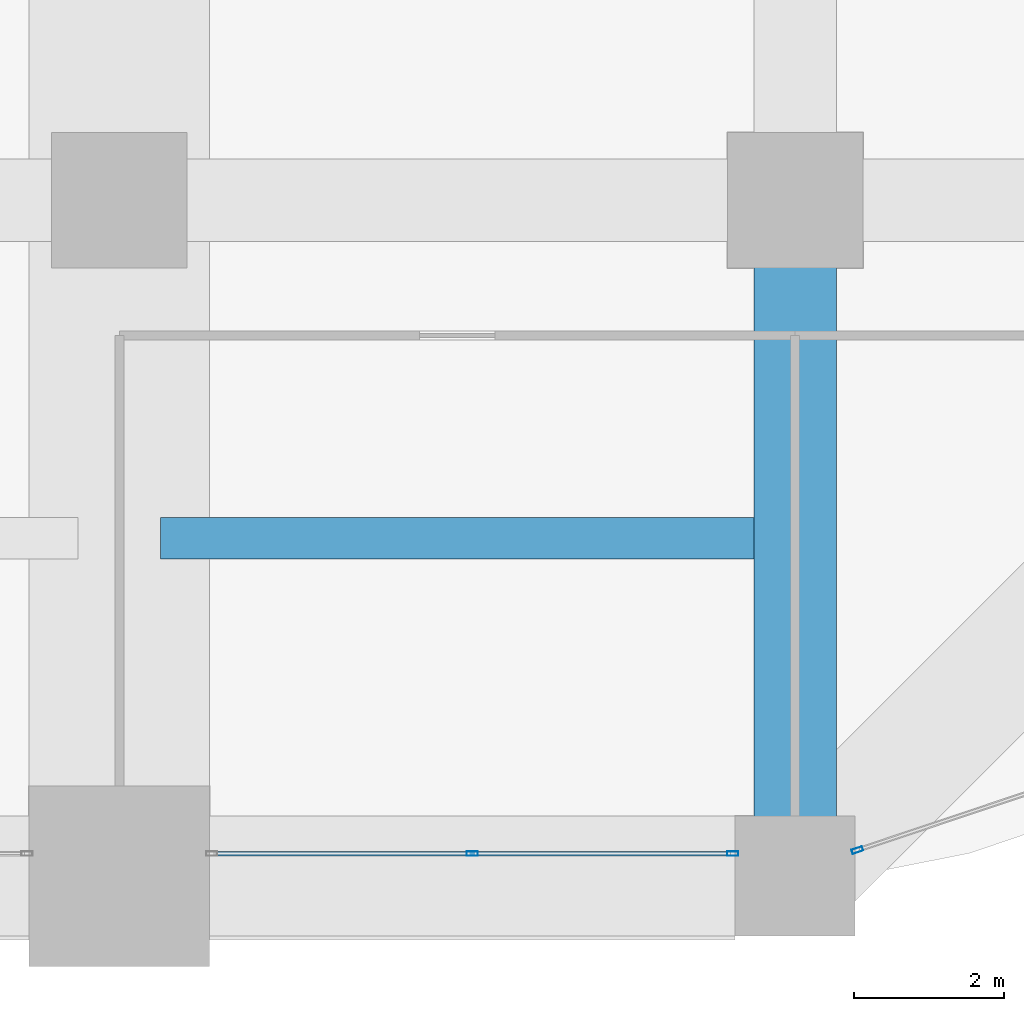
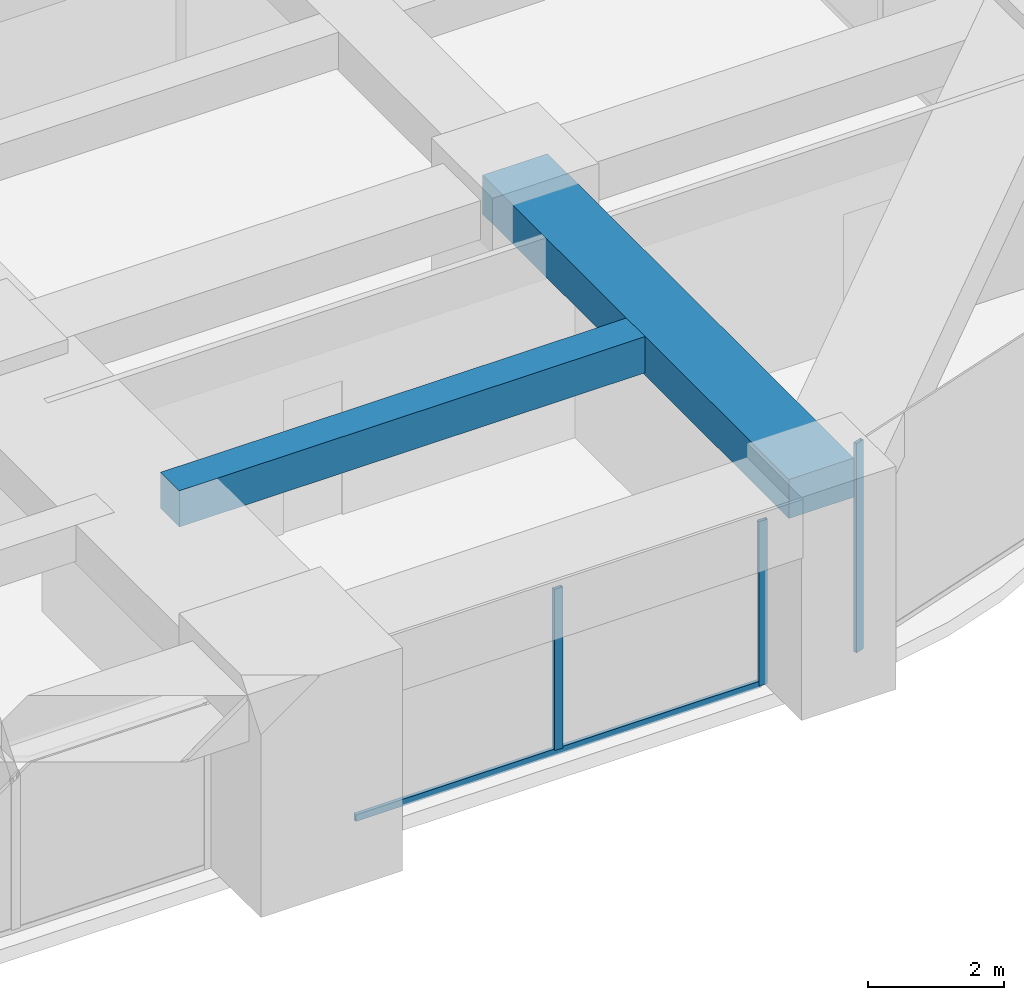
# One storey, part 16 of 42: 4 members, 2 beams, 2 elements without a shape of their own.
"""IFC4 building model written with IfcOpenShell, lengths in metres."""

from ifc_helpers import new_model, si_unit, direction, frame, origin, origin_2d, place, context, subcontext, project, spatial, rectangle, hollow_rectangle, extrude, material, material_profile, profile_set, type_object, element, aggregate, save


model = new_model("IFC4")

# Units and contexts
model_context = context("Model", 3, precision=1e-05, world=origin(), true_north=direction((0.0, 1.0)))
body_context = subcontext(model_context, "Body", "Model", "MODEL_VIEW")
ifc_project = project(units=[si_unit("LENGTHUNIT", "METRE"), si_unit("AREAUNIT", "SQUARE_METRE"), si_unit("VOLUMEUNIT", "CUBIC_METRE"), si_unit("PLANEANGLEUNIT", "RADIAN"), si_unit("MASSUNIT", "GRAM", prefix="KILO")], contexts=[model_context])

# Site, building, storey
site_placement = place(None, origin())
site = spatial("IfcSite", under=ifc_project, at=site_placement, CompositionType="ELEMENT")
building_placement = place(site_placement, origin())
building = spatial("IfcBuilding", under=site, at=building_placement, Name="Zorevar Civic Tower", CompositionType="ELEMENT")
storey_placement = place(building_placement, frame((0.0, 0.0, 149.0)))
storey = spatial("IfcBuildingStorey", under=building, at=storey_placement, Name="L36", CompositionType="ELEMENT", Elevation=149.0)

# Beams
ifc_material_1 = material(Name="Concrete C50/60", Category="concrete")
ifc_material_profile_1 = material_profile(ifc_material_1, rectangle(XDim=1.10009765625, YDim=0.699951171875, at=origin_2d()), Name="RC 1100x700")
ifc_profile_set_1 = profile_set([ifc_material_profile_1], Name="Concrete C50/60")
beam_type_1 = type_object("IfcBeamType", Name="Beam RC 1100x700", PredefinedType="BEAM", material=ifc_profile_set_1)
beam_1_placement = place(storey_placement, frame((54.0, 0.0, 3.39990234375), z_axis=(0.0, 1.0, 0.0), x_axis=(-1.0, 0.0, 0.0)))
element("IfcBeam", 1, at=beam_1_placement, inside=storey, type_object=beam_type_1, Name="Girder L37", PredefinedType="BEAM", context=body_context, shape_type="SweptSolid", body=[
    extrude(rectangle(XDim=1.10009765625, YDim=0.699951171875, at=origin_2d()), origin(), (0.0, 0.0, 1.0), 9.0),
])
ifc_material_2 = material(Name="Concrete C50/60", Category="concrete")
ifc_material_profile_2 = material_profile(ifc_material_2, rectangle(XDim=0.550048828125, YDim=0.64990234375, at=origin_2d()), Name="RC 550x650")
ifc_profile_set_2 = profile_set([ifc_material_profile_2], Name="Concrete C50/60")
beam_type_2 = type_object("IfcBeamType", Name="Beam RC 550x650", PredefinedType="BEAM", material=ifc_profile_set_2)
beam_2_placement = place(storey_placement, frame((45.550048828125, 4.5, 3.425048828125), z_axis=(1.0, 0.0, 0.0), x_axis=(0.0, 1.0, 0.0)))
element("IfcBeam", 2, at=beam_2_placement, inside=storey, type_object=beam_type_2, Name="Secondary beam L37", PredefinedType="BEAM", context=body_context, shape_type="SweptSolid", body=[
    extrude(rectangle(XDim=0.550048828125, YDim=0.64990234375, at=origin_2d()), origin(), (0.0, 0.0, 1.0), 7.89990234375),
])

# Curtain wall, members
ifc_material_3 = material(Name="Dark grey solar-control glass in black aluminium frame", Category="aluminium")
curtain_wall_type = type_object("IfcCurtainWallType", Name="Curtain wall CW3 mid zone", PredefinedType="NOTDEFINED", material=ifc_material_3)
curtain_wall_1_placement = place(storey_placement, origin())
curtain_wall_1 = element("IfcCurtainWall", 3, at=curtain_wall_1_placement, inside=storey, type_object=curtain_wall_type, Name="CW3 L36", PredefinedType="NOTDEFINED")
ifc_material_4 = material(Name="Aluminium, black anodised", Category="aluminium")
ifc_material_profile_3 = material_profile(ifc_material_4, hollow_rectangle(XDim=0.06005859375, YDim=0.14990234375, WallThickness=0.00390625, at=origin_2d()), Name="AL 150x60x4")
ifc_profile_set_3 = profile_set([ifc_material_profile_3], Name="Aluminium, black anodised")
member_type_1 = type_object("IfcMemberType", Name="CW3 mullion AL 150x60x4", PredefinedType="MULLION", material=ifc_profile_set_3)
member_1_placement = place(storey_placement, frame((49.699951171875, 0.300048828125, 0.06005859375), z_axis=(0.0, 0.0, 1.0), x_axis=(0.0, 1.0, 0.0)))
member_1 = element("IfcMember", 4, at=member_1_placement, type_object=member_type_1, Name="CW3 mullion 2", PredefinedType="MULLION", context=body_context, shape_type="SweptSolid", body=[
    extrude(hollow_rectangle(XDim=0.06005859375, YDim=0.14990234375, WallThickness=0.00390625, at=origin_2d()), origin(), (0.0, 0.0, 1.0), 2.889892578125),
])
member_2_placement = place(storey_placement, frame((53.169921875, 0.300048828125, 0.0), z_axis=(0.0, 0.0, 1.0), x_axis=(0.0, 1.0, 0.0)))
member_2 = element("IfcMember", 5, at=member_2_placement, type_object=member_type_1, Name="CW3 mullion 3", PredefinedType="MULLION", context=body_context, shape_type="SweptSolid", body=[
    extrude(hollow_rectangle(XDim=0.06005859375, YDim=0.14990234375, WallThickness=0.00390625, at=origin_2d()), origin(), (0.0, 0.0, 1.0), 2.949951171875),
])

# Curtain wall, member
curtain_wall_2_placement = place(storey_placement, origin())
curtain_wall_2 = element("IfcCurtainWall", 6, at=curtain_wall_2_placement, inside=storey, type_object=curtain_wall_type, Name="CW3 L36", PredefinedType="NOTDEFINED")
member_3_placement = place(storey_placement, frame((54.828369140625, 0.346435546875, 0.0), z_axis=(0.0, 0.0, 1.0), x_axis=(-0.317592669603, 0.948227238701, 0.0)))
member_3 = element("IfcMember", 7, at=member_3_placement, type_object=member_type_1, Name="CW3 mullion 1", PredefinedType="MULLION", context=body_context, shape_type="SweptSolid", body=[
    extrude(hollow_rectangle(XDim=0.06005859375, YDim=0.14990234375, WallThickness=0.00390625, at=origin_2d()), origin(), (0.0, 0.0, 1.0), 3.75),
])
aggregate(curtain_wall_2, [member_3])

# Member
ifc_material_5 = material(Name="Aluminium, black anodised", Category="aluminium")
ifc_material_profile_4 = material_profile(ifc_material_5, hollow_rectangle(XDim=0.06005859375, YDim=0.1201171875, WallThickness=0.0029296875, at=origin_2d()), Name="AL 120x60x3")
ifc_profile_set_4 = profile_set([ifc_material_profile_4], Name="Aluminium, black anodised")
member_type_2 = type_object("IfcMemberType", Name="CW3 transom AL 120x60x3", PredefinedType="USERDEFINED", material=ifc_profile_set_4)
member_4_placement = place(storey_placement, frame((46.260009765625, 0.300048828125, 0.030029296875), z_axis=(1.0, 0.0, 0.0), x_axis=(0.0, 1.0, 0.0)))
member_4 = element("IfcMember", 8, at=member_4_placement, type_object=member_type_2, Name="CW3 sill transom", ObjectType="TRANSOM", PredefinedType="USERDEFINED", context=body_context, shape_type="SweptSolid", body=[
    extrude(hollow_rectangle(XDim=0.06005859375, YDim=0.1201171875, WallThickness=0.0029296875, at=origin_2d()), origin(), (0.0, 0.0, 1.0), 6.8798828125),
])

aggregate(curtain_wall_1, [member_1, member_2, member_4])

save(model, "model.ifc")
